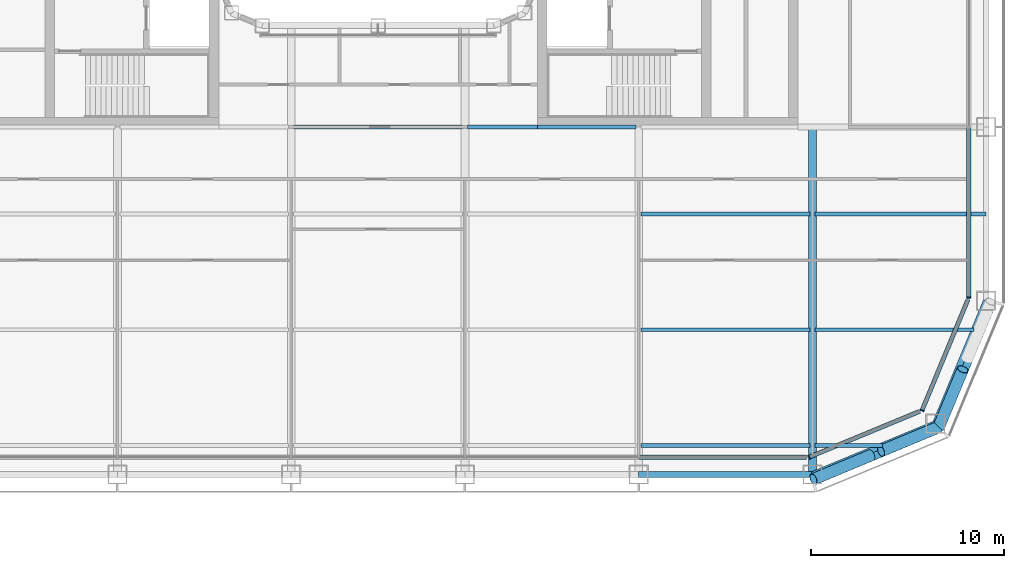
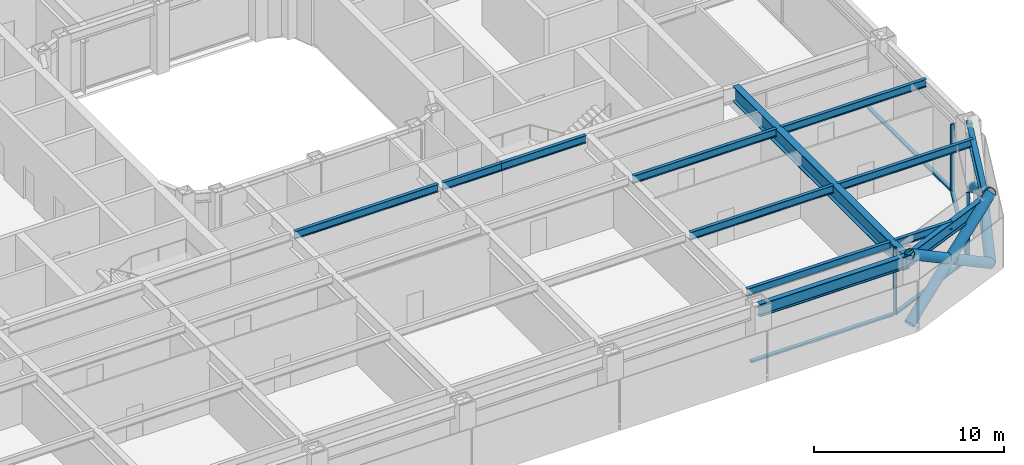
# One storey, part 4 of 27: 13 beams, 12 members, 4 elements without a shape of their own.
"""IFC4 building model written with IfcOpenShell, lengths in metres."""

from ifc_helpers import new_model, si_unit, direction, frame, origin, origin_2d, place, context, subcontext, project, spatial, rectangle, hollow_circle, i_section, extrude, material, layer, layer_set, material_profile, profile_set, type_object, element, aggregate, save


model = new_model("IFC4")

# Units and contexts
model_context = context("Model", 3, precision=1e-05, world=origin(), true_north=direction((0.0, 1.0)))
body_context = subcontext(model_context, "Body", "Model", "MODEL_VIEW")
ifc_project = project(units=[si_unit("LENGTHUNIT", "METRE"), si_unit("AREAUNIT", "SQUARE_METRE"), si_unit("VOLUMEUNIT", "CUBIC_METRE"), si_unit("PLANEANGLEUNIT", "RADIAN"), si_unit("MASSUNIT", "GRAM", prefix="KILO")], contexts=[model_context])

# Site, building, storey
site_placement = place(None, origin())
site = spatial("IfcSite", under=ifc_project, at=site_placement, CompositionType="ELEMENT")
building_placement = place(site_placement, origin())
building = spatial("IfcBuilding", under=site, at=building_placement, Name="Siwar Civic Tower", CompositionType="ELEMENT")
storey_placement = place(building_placement, frame((0.0, 0.0, 71.699951171875)))
storey = spatial("IfcBuildingStorey", under=building, at=storey_placement, Name="L15", CompositionType="ELEMENT", Elevation=71.699951171875)

# Curtain wall, member
ifc_material_1 = material(Name="Aluminium clad insulated panel", Category="aluminium")
ifc_layer_1 = layer(ifc_material_1, 0.219970703125)
ifc_layer_set_1 = layer_set([ifc_layer_1], Name="Aluminium clad insulated panel")
curtain_wall_type_1 = type_object("IfcCurtainWallType", Name="ENV-CW-AX", PredefinedType="NOTDEFINED", material=ifc_layer_set_1)
curtain_wall_1_placement = place(storey_placement, origin())
curtain_wall_1 = element("IfcCurtainWall", 1, at=curtain_wall_1_placement, inside=storey, type_object=curtain_wall_type_1, Name="Curtain wall A SE1", PredefinedType="NOTDEFINED")
ifc_material_2 = material(Name="Aluminium 6063-T6", Category="aluminium")
ifc_material_profile_1 = material_profile(ifc_material_2, rectangle(XDim=0.219970703125, YDim=0.070068359375, at=origin_2d()), Name="AL 220x70")
ifc_profile_set_1 = profile_set([ifc_material_profile_1], Name="Aluminium 6063-T6")
member_type_1 = type_object("IfcMemberType", Name="ENV-MULLION-A", PredefinedType="MULLION", material=ifc_profile_set_1)
member_1_placement = place(storey_placement, frame((22.321044921875, -30.60009765625, 0.0), z_axis=(0.0, 0.0, 1.0), x_axis=(-0.382683432365, 0.923879532511, 0.0)))
member_1 = element("IfcMember", 2, at=member_1_placement, type_object=member_type_1, Name="Mullion A SE1 1", PredefinedType="MULLION", context=body_context, shape_type="SweptSolid", body=[
    extrude(rectangle(XDim=0.219970703125, YDim=0.070068359375, at=origin_2d()), origin(), (0.0, 0.0, 1.0), 4.35009765625),
])

curtain_wall_2_placement = place(storey_placement, origin())
curtain_wall_2 = element("IfcCurtainWall", 3, at=curtain_wall_2_placement, inside=storey, type_object=curtain_wall_type_1, Name="Curtain wall A SE2", PredefinedType="NOTDEFINED")
member_2_placement = place(storey_placement, frame((28.175048828125, -28.175048828125, 0.0), z_axis=(0.0, 0.0, 1.0), x_axis=(-0.923879532511, 0.382683432365, 0.0)))
member_2 = element("IfcMember", 4, at=member_2_placement, type_object=member_type_1, Name="Mullion A SE2 1", PredefinedType="MULLION", context=body_context, shape_type="SweptSolid", body=[
    extrude(rectangle(XDim=0.219970703125, YDim=0.070068359375, at=origin_2d()), origin(), (0.0, 0.0, 1.0), 4.35009765625),
])

ifc_material_3 = material(Name="Aluminium and glass", Category="aluminium")
ifc_layer_2 = layer(ifc_material_3, 0.219970703125)
ifc_layer_set_2 = layer_set([ifc_layer_2], Name="Aluminium and glass")
curtain_wall_type_2 = type_object("IfcCurtainWallType", Name="ENV-CW-A", PredefinedType="NOTDEFINED", material=ifc_layer_set_2)
curtain_wall_3_placement = place(storey_placement, origin())
curtain_wall_3 = element("IfcCurtainWall", 5, at=curtain_wall_3_placement, inside=storey, type_object=curtain_wall_type_2, Name="Curtain wall A E", PredefinedType="NOTDEFINED")
member_3_placement = place(storey_placement, frame((30.60009765625, -22.321044921875, 0.0), z_axis=(0.0, 0.0, 1.0), x_axis=(-1.0, 0.0, 0.0)))
member_3 = element("IfcMember", 6, at=member_3_placement, type_object=member_type_1, Name="Mullion A E 1", PredefinedType="MULLION", context=body_context, shape_type="SweptSolid", body=[
    extrude(rectangle(XDim=0.219970703125, YDim=0.070068359375, at=origin_2d()), origin(), (0.0, 0.0, 1.0), 4.35009765625),
])

curtain_wall_4_placement = place(storey_placement, origin())
curtain_wall_4 = element("IfcCurtainWall", 7, at=curtain_wall_4_placement, inside=storey, type_object=curtain_wall_type_2, Name="Curtain wall A S", PredefinedType="NOTDEFINED")
ifc_material_4 = material(Name="Aluminium 6063-T6", Category="aluminium")
ifc_material_profile_2 = material_profile(ifc_material_4, rectangle(XDim=0.219970703125, YDim=0.1201171875, at=origin_2d()), Name="AL 220x120")
ifc_profile_set_2 = profile_set([ifc_material_profile_2], Name="Aluminium 6063-T6")
member_type_2 = type_object("IfcMemberType", Name="ENV-TRANSOM-A", PredefinedType="USERDEFINED", material=ifc_profile_set_2)
member_4_placement = place(storey_placement, frame((13.534912109375, -30.60009765625, 0.06005859375), z_axis=(1.0, 0.0, 0.0), x_axis=(0.0, 1.0, 0.0)))
member_4 = element("IfcMember", 8, at=member_4_placement, type_object=member_type_2, Name="Transom A S 5", ObjectType="TRANSOM", PredefinedType="USERDEFINED", context=body_context, shape_type="SweptSolid", body=[
    extrude(rectangle(XDim=0.219970703125, YDim=0.1201171875, at=origin_2d()), origin(), (0.0, 0.0, 1.0), 8.66357421875),
])
aggregate(curtain_wall_4, [member_4])

# Member
member_5_placement = place(storey_placement, frame((22.353271484375, -30.586669921875, 0.06005859375), z_axis=(0.923873326341, 0.382698415042, 0.0), x_axis=(-0.382698415042, 0.923873326341, 0.0)))
member_5 = element("IfcMember", 9, at=member_5_placement, type_object=member_type_2, Name="Transom A SE1 1", ObjectType="TRANSOM", PredefinedType="USERDEFINED", context=body_context, shape_type="SweptSolid", body=[
    extrude(rectangle(XDim=0.219970703125, YDim=0.1201171875, at=origin_2d()), origin(), (0.0, 0.0, 1.0), 6.17919921875),
])

aggregate(curtain_wall_1, [member_1, member_5])

member_6_placement = place(storey_placement, frame((28.1884765625, -28.142822265625, 0.06005859375), z_axis=(0.382698415042, 0.923873326341, 0.0), x_axis=(-0.923873326341, 0.382698415042, 0.0)))
member_6 = element("IfcMember", 10, at=member_6_placement, type_object=member_type_2, Name="Transom A SE2 1", ObjectType="TRANSOM", PredefinedType="USERDEFINED", context=body_context, shape_type="SweptSolid", body=[
    extrude(rectangle(XDim=0.219970703125, YDim=0.1201171875, at=origin_2d()), origin(), (0.0, 0.0, 1.0), 6.17919921875),
])

aggregate(curtain_wall_2, [member_2, member_6])

member_7_placement = place(storey_placement, frame((30.60009765625, -22.285888671875, 0.06005859375), z_axis=(0.0, 1.0, 0.0), x_axis=(-1.0, 0.0, 0.0)))
member_7 = element("IfcMember", 11, at=member_7_placement, type_object=member_type_2, Name="Transom A E 1", ObjectType="TRANSOM", PredefinedType="USERDEFINED", context=body_context, shape_type="SweptSolid", body=[
    extrude(rectangle(XDim=0.219970703125, YDim=0.1201171875, at=origin_2d()), origin(), (0.0, 0.0, 1.0), 8.7509765625),
])

aggregate(curtain_wall_3, [member_3, member_7])

# Members
ifc_material_5 = material(Name="Steel S355", Category="steel")
ifc_material_profile_3 = material_profile(ifc_material_5, hollow_circle(Radius=0.304931640625, WallThickness=0.030029296875, at=origin_2d()), Name="CHS610x30")
ifc_profile_set_3 = profile_set([ifc_material_profile_3], Name="Steel S355")
member_type_3 = type_object("IfcMemberType", Name="STR-BR-CHS610x30", PredefinedType="BRACE", material=ifc_profile_set_3)
member_8_placement = place(storey_placement, frame((31.7451171875, -22.548828125, 0.0), z_axis=(-0.323905527954, -0.777554562952, 0.538975055633), x_axis=(0.923108759191, -0.384538969033, 0.0)))
element("IfcMember", 12, at=member_8_placement, inside=storey, type_object=member_type_3, Name="L15/brc/ASE1-14-0-1", PredefinedType="BRACE", context=body_context, shape_type="SweptSolid", body=[
    extrude(hollow_circle(Radius=0.304931640625, WallThickness=0.030029296875, at=origin_2d()), origin(), (0.0, 0.0, 1.0), 8.34912109375),
])
member_9_placement = place(storey_placement, frame((29.040771484375, -29.040771484375, 0.0), z_axis=(0.323922979564, 0.777542179573, 0.53898243227), x_axis=(-0.923099230484, 0.384561842466, 0.0)))
element("IfcMember", 13, at=member_9_placement, inside=storey, type_object=member_type_3, Name="L15/brc/ASE1-14-0-2", PredefinedType="BRACE", context=body_context, shape_type="SweptSolid", body=[
    extrude(hollow_circle(Radius=0.304931640625, WallThickness=0.030029296875, at=origin_2d()), origin(), (0.0, 0.0, 1.0), 3.84375),
])
member_10_placement = place(storey_placement, frame((22.548828125, -31.7451171875, 0.0), z_axis=(0.777554562952, 0.323905527954, 0.538975055633), x_axis=(-0.384538969033, 0.923108759191, 0.0)))
element("IfcMember", 14, at=member_10_placement, inside=storey, type_object=member_type_3, Name="L15/brc/ASE1-14-0-0", PredefinedType="BRACE", context=body_context, shape_type="SweptSolid", body=[
    extrude(hollow_circle(Radius=0.304931640625, WallThickness=0.030029296875, at=origin_2d()), origin(), (0.0, 0.0, 1.0), 8.34912109375),
])
member_11_placement = place(storey_placement, frame((29.040771484375, -29.040771484375, 0.0), z_axis=(-0.777542179573, -0.323922979564, 0.53898243227), x_axis=(0.384561842466, -0.923099230484, 0.0)))
element("IfcMember", 15, at=member_11_placement, inside=storey, type_object=member_type_3, Name="L15/brc/ASE1-14-0-4", PredefinedType="BRACE", context=body_context, shape_type="SweptSolid", body=[
    extrude(hollow_circle(Radius=0.304931640625, WallThickness=0.030029296875, at=origin_2d()), origin(), (0.0, 0.0, 1.0), 3.84375),
])
member_12_placement = place(storey_placement, frame((25.537353515625, -30.500244140625, 2.428466796875), z_axis=(-0.777559680196, -0.3238932121, 0.53897507446), x_axis=(0.384524353215, -0.923114847559, 0.0)))
element("IfcMember", 16, at=member_12_placement, inside=storey, type_object=member_type_3, Name="L15/brc/ASE1-14-0-5", PredefinedType="BRACE", context=body_context, shape_type="SweptSolid", body=[
    extrude(hollow_circle(Radius=0.304931640625, WallThickness=0.030029296875, at=origin_2d()), origin(), (0.0, 0.0, 1.0), 3.843505859375),
])

# Beams
ifc_material_6 = material(Name="Steel S355", Category="steel")
ifc_material_profile_4 = material_profile(ifc_material_6, i_section(OverallWidth=0.199951171875, OverallDepth=0.5, WebThickness=0.01025390625, FlangeThickness=0.01611328125, FilletRadius=0.02099609375, at=origin_2d()), Name="IPE500")
ifc_profile_set_4 = profile_set([ifc_material_profile_4], Name="Steel S355")
beam_type_1 = type_object("IfcBeamType", Name="STR-FB-IPE500", PredefinedType="JOIST", material=ifc_profile_set_4)
beam_1_placement = place(storey_placement, frame((13.6298828125, -30.0, 4.10009765625), z_axis=(1.0, 0.0, 0.0), x_axis=(0.0, 1.0, 0.0)))
element("IfcBeam", 17, at=beam_1_placement, inside=storey, type_object=beam_type_1, Name="L15/bm/F006", PredefinedType="JOIST", context=body_context, shape_type="SweptSolid", body=[
    extrude(i_section(OverallWidth=0.199951171875, OverallDepth=0.5, WebThickness=0.01025390625, FlangeThickness=0.01611328125, FilletRadius=0.02099609375, at=origin_2d()), origin(), (0.0, 0.0, 1.0), 8.740234375),
])
beam_2_placement = place(storey_placement, frame((22.6298828125, -30.0, 4.10009765625), z_axis=(1.0, 0.0, 0.0), x_axis=(0.0, 1.0, 0.0)))
element("IfcBeam", 18, at=beam_2_placement, inside=storey, type_object=beam_type_1, Name="L15/bm/F007", PredefinedType="JOIST", context=body_context, shape_type="SweptSolid", body=[
    extrude(i_section(OverallWidth=0.199951171875, OverallDepth=0.5, WebThickness=0.01025390625, FlangeThickness=0.01611328125, FilletRadius=0.02099609375, at=origin_2d()), origin(), (0.0, 0.0, 1.0), 3.491455078125),
])
beam_3_placement = place(storey_placement, frame((13.6298828125, -24.0, 4.10009765625), z_axis=(1.0, 0.0, 0.0), x_axis=(0.0, 1.0, 0.0)))
element("IfcBeam", 19, at=beam_3_placement, inside=storey, type_object=beam_type_1, Name="L15/bm/F013", PredefinedType="JOIST", context=body_context, shape_type="SweptSolid", body=[
    extrude(i_section(OverallWidth=0.199951171875, OverallDepth=0.5, WebThickness=0.01025390625, FlangeThickness=0.01611328125, FilletRadius=0.02099609375, at=origin_2d()), origin(), (0.0, 0.0, 1.0), 8.740234375),
])
beam_4_placement = place(storey_placement, frame((22.6298828125, -24.0, 4.10009765625), z_axis=(1.0, 0.0, 0.0), x_axis=(0.0, 1.0, 0.0)))
element("IfcBeam", 20, at=beam_4_placement, inside=storey, type_object=beam_type_1, Name="L15/bm/F014", PredefinedType="JOIST", context=body_context, shape_type="SweptSolid", body=[
    extrude(i_section(OverallWidth=0.199951171875, OverallDepth=0.5, WebThickness=0.01025390625, FlangeThickness=0.01611328125, FilletRadius=0.02099609375, at=origin_2d()), origin(), (0.0, 0.0, 1.0), 8.248779296875),
])
beam_5_placement = place(storey_placement, frame((13.6298828125, -18.0, 4.10009765625), z_axis=(1.0, 0.0, 0.0), x_axis=(0.0, 1.0, 0.0)))
element("IfcBeam", 21, at=beam_5_placement, inside=storey, type_object=beam_type_1, Name="L15/bm/F020", PredefinedType="JOIST", context=body_context, shape_type="SweptSolid", body=[
    extrude(i_section(OverallWidth=0.199951171875, OverallDepth=0.5, WebThickness=0.01025390625, FlangeThickness=0.01611328125, FilletRadius=0.02099609375, at=origin_2d()), origin(), (0.0, 0.0, 1.0), 8.740234375),
])
beam_6_placement = place(storey_placement, frame((22.6298828125, -18.0, 4.10009765625), z_axis=(1.0, 0.0, 0.0), x_axis=(0.0, 1.0, 0.0)))
element("IfcBeam", 22, at=beam_6_placement, inside=storey, type_object=beam_type_1, Name="L15/bm/F021", PredefinedType="JOIST", context=body_context, shape_type="SweptSolid", body=[
    extrude(i_section(OverallWidth=0.199951171875, OverallDepth=0.5, WebThickness=0.01025390625, FlangeThickness=0.01611328125, FilletRadius=0.02099609375, at=origin_2d()), origin(), (0.0, 0.0, 1.0), 8.8701171875),
])
beam_7_placement = place(storey_placement, frame((-4.3701171875, -13.5, 4.10009765625), z_axis=(1.0, 0.0, 0.0), x_axis=(0.0, 1.0, 0.0)))
element("IfcBeam", 23, at=beam_7_placement, inside=storey, type_object=beam_type_1, Name="L15/bm/F026", PredefinedType="JOIST", context=body_context, shape_type="SweptSolid", body=[
    extrude(i_section(OverallWidth=0.199951171875, OverallDepth=0.5, WebThickness=0.01025390625, FlangeThickness=0.01611328125, FilletRadius=0.02099609375, at=origin_2d()), origin(), (0.0, 0.0, 1.0), 8.740234375),
])
beam_8_placement = place(storey_placement, frame((4.6298828125, -13.5, 4.10009765625), z_axis=(1.0, 0.0, 0.0), x_axis=(0.0, 1.0, 0.0)))
element("IfcBeam", 24, at=beam_8_placement, inside=storey, type_object=beam_type_1, Name="L15/bm/F027", PredefinedType="JOIST", context=body_context, shape_type="SweptSolid", body=[
    extrude(i_section(OverallWidth=0.199951171875, OverallDepth=0.5, WebThickness=0.01025390625, FlangeThickness=0.01611328125, FilletRadius=0.02099609375, at=origin_2d()), origin(), (0.0, 0.0, 1.0), 3.6201171875),
])
beam_9_placement = place(storey_placement, frame((8.25, -13.5, 4.10009765625), z_axis=(1.0, 0.0, 0.0), x_axis=(0.0, 1.0, 0.0)))
element("IfcBeam", 25, at=beam_9_placement, inside=storey, type_object=beam_type_1, Name="L15/bm/F028", PredefinedType="JOIST", context=body_context, shape_type="SweptSolid", body=[
    extrude(i_section(OverallWidth=0.199951171875, OverallDepth=0.5, WebThickness=0.01025390625, FlangeThickness=0.01611328125, FilletRadius=0.02099609375, at=origin_2d()), origin(), (0.0, 0.0, 1.0), 5.1201171875),
])
ifc_material_7 = material(Name="Steel S355", Category="steel")
ifc_material_profile_5 = material_profile(ifc_material_7, i_section(OverallWidth=0.39990234375, OverallDepth=1.0, WebThickness=0.01611328125, FlangeThickness=0.0400390625, at=origin_2d()), Name="PG1000x400x16x40")
ifc_profile_set_5 = profile_set([ifc_material_profile_5], Name="Steel S355")
beam_type_2 = type_object("IfcBeamType", Name="STR-PG-PG1000x400x16x40", PredefinedType="BEAM", material=ifc_profile_set_5)
beam_10_placement = place(storey_placement, frame((22.5, -31.5, 3.85009765625), z_axis=(0.0, 1.0, 0.0), x_axis=(-1.0, 0.0, 0.0)))
element("IfcBeam", 26, at=beam_10_placement, inside=storey, type_object=beam_type_2, Name="L15/bm/G11", PredefinedType="BEAM", context=body_context, shape_type="SweptSolid", body=[
    extrude(i_section(OverallWidth=0.39990234375, OverallDepth=1.0, WebThickness=0.01611328125, FlangeThickness=0.0400390625, at=origin_2d()), origin(), (0.0, 0.0, 1.0), 18.0),
])
ifc_material_8 = material(Name="Steel S355", Category="steel")
ifc_material_profile_6 = material_profile(ifc_material_8, i_section(OverallWidth=0.302978515625, OverallDepth=0.81396484375, WebThickness=0.02099609375, FlangeThickness=0.0400390625, FilletRadius=0.030029296875, at=origin_2d()), Name="HEM800")
ifc_profile_set_6 = profile_set([ifc_material_profile_6], Name="Steel S355")
beam_type_3 = type_object("IfcBeamType", Name="STR-SB-HEM800", PredefinedType="BEAM", material=ifc_profile_set_6)
beam_11_placement = place(storey_placement, frame((13.5, -31.5, 3.943115234375), z_axis=(1.0, 0.0, 0.0), x_axis=(0.0, 1.0, 0.0)))
element("IfcBeam", 27, at=beam_11_placement, inside=storey, type_object=beam_type_3, Name="L15/bm/SS-4", PredefinedType="BEAM", context=body_context, shape_type="SweptSolid", body=[
    extrude(i_section(OverallWidth=0.302978515625, OverallDepth=0.81396484375, WebThickness=0.02099609375, FlangeThickness=0.0400390625, FilletRadius=0.030029296875, at=origin_2d()), origin(), (0.0, 0.0, 1.0), 9.0),
])
for number, where, z_axis, x_axis, name in (
    (28, (22.5, -31.5, 3.943115234375), (0.923883353507, 0.382674207535, 0.0), (-0.382674207535, 0.923883353507, 0.0), "L15/bm/SSE1-0"),
    (29, (28.864013671875, -28.864013671875, 3.943115234375), (0.382674207535, 0.923883353507, 0.0), (-0.923883353507, 0.382674207535, 0.0), "L15/bm/SSE2-0"),
):
    element("IfcBeam", number, at=place(storey_placement, frame(where, z_axis=z_axis, x_axis=x_axis)), inside=storey, type_object=beam_type_3, Name=name, PredefinedType="BEAM", context=body_context, shape_type="SweptSolid", body=[
        extrude(i_section(OverallWidth=0.302978515625, OverallDepth=0.81396484375, WebThickness=0.02099609375, FlangeThickness=0.0400390625, FilletRadius=0.030029296875, at=origin_2d()), origin(), (0.0, 0.0, 1.0), 6.888427734375),
    ])

save(model, "model.ifc")
